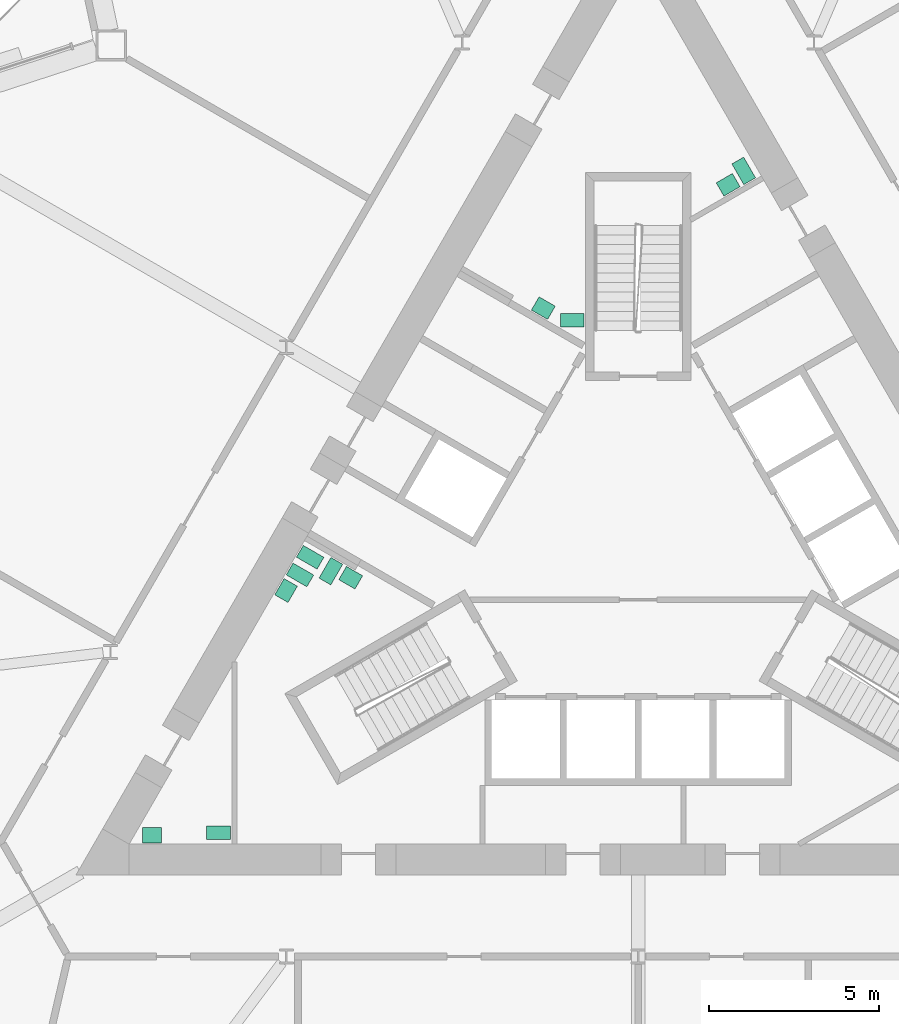
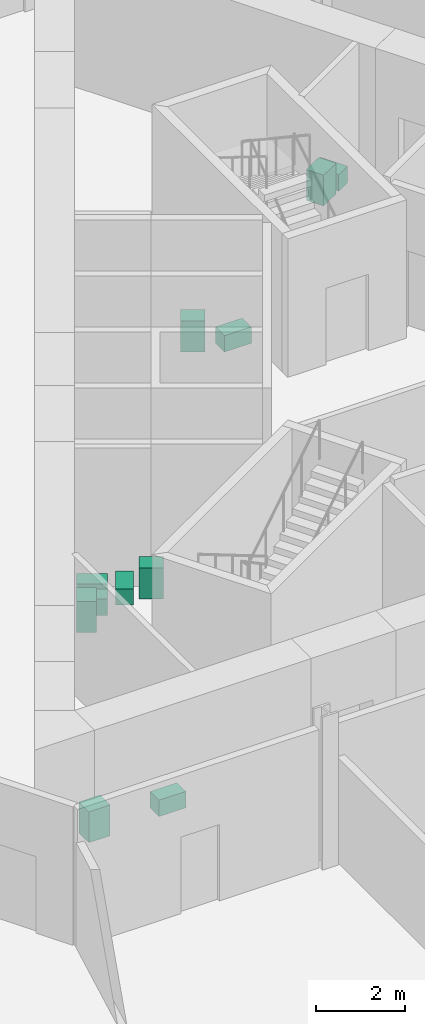
# One storey, part 20 of 21: 11 sanitary terminals.
"""IFC4 building model written with IfcOpenShell, lengths in metres."""

from ifc_helpers import new_model, si_unit, direction, frame, origin, origin_2d, place, context, subcontext, project, spatial, rectangle, extrude, material, type_object, element, save


model = new_model("IFC4")

# Units and contexts
model_context = context("Model", 3, precision=1e-05, world=origin(), true_north=direction((0.0, 1.0)))
body_context = subcontext(model_context, "Body", "Model", "MODEL_VIEW")
ifc_project = project(units=[si_unit("LENGTHUNIT", "METRE"), si_unit("AREAUNIT", "SQUARE_METRE"), si_unit("VOLUMEUNIT", "CUBIC_METRE"), si_unit("PLANEANGLEUNIT", "RADIAN"), si_unit("MASSUNIT", "GRAM", prefix="KILO")], contexts=[model_context])

# Site, building, storey
site_placement = place(None, origin())
site = spatial("IfcSite", under=ifc_project, at=site_placement, CompositionType="ELEMENT")
building_placement = place(site_placement, origin())
building = spatial("IfcBuilding", under=site, at=building_placement, Name="Cormorant Prow Tower", CompositionType="ELEMENT")
storey_placement = place(building_placement, frame((0.0, 0.0, 99.60009765625)))
storey = spatial("IfcBuildingStorey", under=building, at=storey_placement, Name="L20", CompositionType="ELEMENT", Elevation=99.60009765625)

# Sanitary terminals
ifc_material_1 = material(Name="Vitreous china")
sanitary_terminal_type_1 = type_object("IfcSanitaryTerminalType", Name="Wash basin 550x450", PredefinedType="WASHHANDBASIN", material=ifc_material_1)
for number, where, z_axis, x_axis, name in (
    (1, (-8.438232421875, -0.803466796875, -0.000244140625), (0.0, 0.0, 1.0), (-0.866034130299, 0.499984884929, 0.0), "Wash basin"),
    (2, (-10.336181640625, -1.18017578125, -0.000244140625), (0.0, 0.0, 1.0), (-0.499984884929, -0.866034130299, 0.0), "Wash basin"),
    (3, (-2.7841796875, 7.109619140625, -0.000244140625), (0.0, 0.0, 1.0), (0.866034130299, -0.499984884929, 0.0), "Wash basin"),
    (4, (2.640625, 10.730224609375, -0.000244140625), (0.0, 0.0, 1.0), (0.866025403784, 0.5, 0.0), "Wash basin"),
    (5, (-14.27197265625, -8.361328125, -0.000244140625), (0.0, 0.0, 1.0), (1.0, 0.0, 0.0), "Wash basin"),
):
    element("IfcSanitaryTerminal", number, at=place(storey_placement, frame(where, z_axis=z_axis, x_axis=x_axis)), inside=storey, type_object=sanitary_terminal_type_1, Name=name, PredefinedType="WASHHANDBASIN", context=body_context, shape_type="SweptSolid", body=[
        extrude(rectangle(XDim=0.550048828125, YDim=0.449951171875, at=origin_2d()), origin(), (0.0, 0.0, 1.0), 0.85009765625),
    ])
ifc_material_2 = material(Name="Vitreous china")
sanitary_terminal_type_2 = type_object("IfcSanitaryTerminalType", Name="Water closet 400x700", PredefinedType="WCSEAT", material=ifc_material_2)
for number, where, z_axis, x_axis, name in (
    (6, (-9.627685546875, -0.203369140625, 0.0), (0.0, 0.0, 1.0), (-0.499984884929, -0.866034130299, 0.0), "Water closet"),
    (7, (-9.927734375, -0.722900390625, 0.0), (0.0, 0.0, 1.0), (-0.499984884929, -0.866034130299, 0.0), "Water closet"),
    (8, (-9.0205078125, -0.61181640625, 0.0), (0.0, 0.0, 1.0), (-0.866034130299, 0.499984884929, 0.0), "Water closet"),
    (9, (-1.93408203125, 6.7568359375, 0.0), (0.0, 0.0, 1.0), (0.0, 1.0, 0.0), "Water closet"),
    (10, (3.09765625, 11.138427734375, 0.0), (0.0, 0.0, 1.0), (0.866025403784, 0.5, 0.0), "Water closet"),
    (11, (-12.31884765625, -8.286376953125, 0.0), (0.0, 0.0, 1.0), (0.0, 1.0, 0.0), "Water closet"),
):
    element("IfcSanitaryTerminal", number, at=place(storey_placement, frame(where, z_axis=z_axis, x_axis=x_axis)), inside=storey, type_object=sanitary_terminal_type_2, Name=name, PredefinedType="WCSEAT", context=body_context, shape_type="SweptSolid", body=[
        extrude(rectangle(XDim=0.39990234375, YDim=0.699951171875, at=origin_2d()), origin(), (0.0, 0.0, 1.0), 0.449951171875),
    ])

save(model, "model.ifc")
